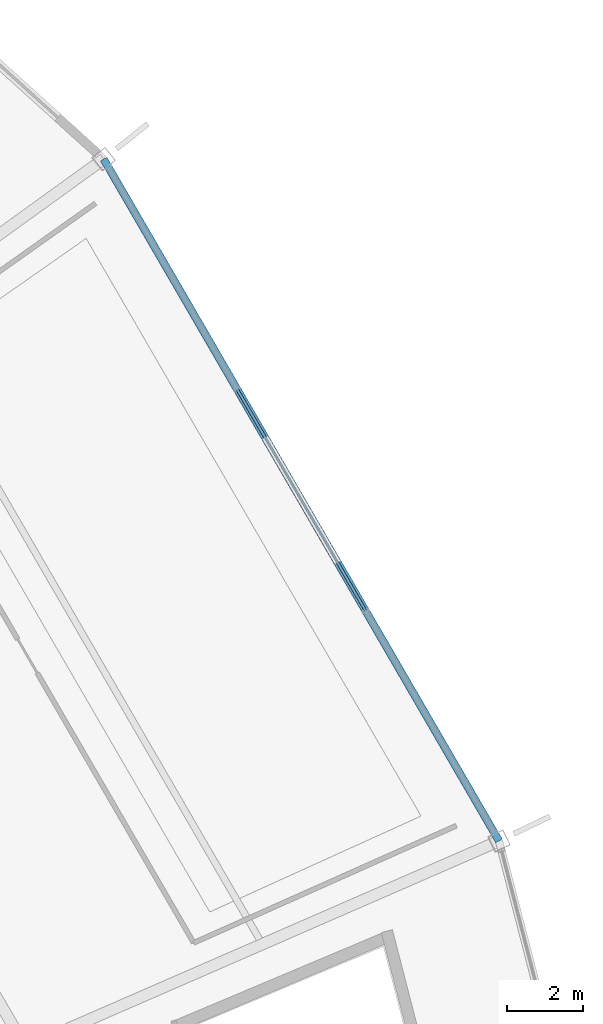
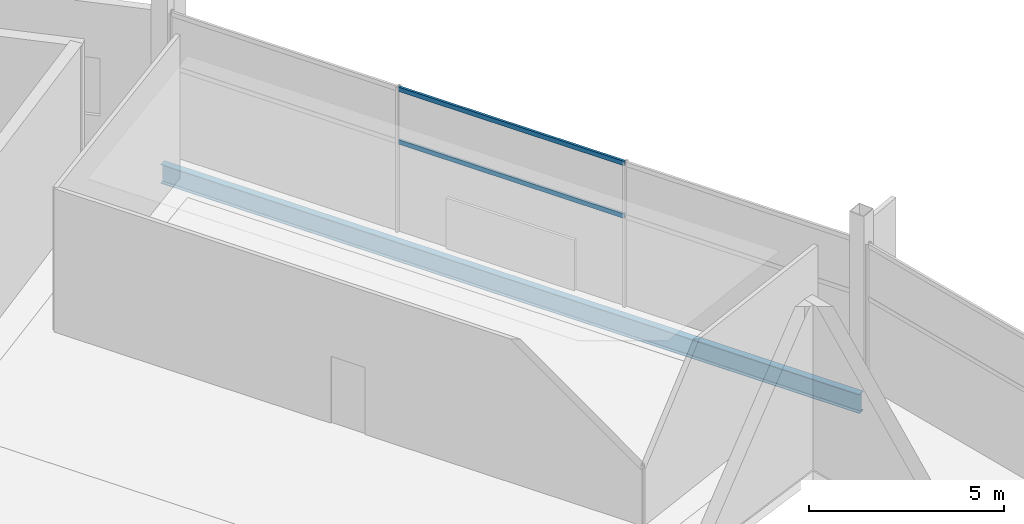
# One storey, part 114 of 186: 2 members, 1 beam, 1 element without a shape of its own.
"""IFC4 building model written with IfcOpenShell, lengths in metres."""

import ifcopenshell
import ifcopenshell.guid

model = None  # the IFC model being written
_history = None  # IfcOwnerHistory: only IFC2X3 demands one
_inside = {}  # id of a spatial element -> (the spatial element, [elements in it])
_under = {}  # id of a project, library or spatial element -> (it, [spatial elements below it])
_declared = {}  # id of a project -> (the project, [libraries it declares])
_typed = {}  # id of a type object -> (the type object, [elements of that type])
_made_of = {}  # id of a material, layer set ... -> (it, [elements and type objects made of it])


def new_model(schema):
    """Start an empty IFC model of exactly this schema.

    Asked for "IFC4X3", IfcOpenShell would pick the latest addendum, in which some entities
    have other attributes; the version numbers below select the first issue.
    IFC2X3 requires an IfcOwnerHistory on every rooted entity: one is made here for all.
    """
    global model, _history
    if schema == "IFC4X3":
        model = ifcopenshell.file(schema_version=(4, 3, 0, 0))
    else:
        model = ifcopenshell.file(schema=schema)
    _inside.clear()
    _under.clear()
    _declared.clear()
    _typed.clear()
    _made_of.clear()
    _history = None
    if model.schema == "IFC2X3":
        org = make("IfcOrganization", Name="unknown")
        user = make(
            "IfcPersonAndOrganization",
            ThePerson=make("IfcPerson", FamilyName="unknown"),
            TheOrganization=org,
        )
        app = make(
            "IfcApplication",
            ApplicationDeveloper=org,
            Version="unknown",
            ApplicationFullName="unknown",
            ApplicationIdentifier="unknown",
        )
        _history = make(
            "IfcOwnerHistory",
            OwningUser=user,
            OwningApplication=app,
            ChangeAction="ADDED",
            CreationDate=0,
        )
    return model


def make(cls, **values):
    """One entity of the class cls with the attributes given. An attribute that is None is left unset."""
    return model.create_entity(
        cls, **{name: value for name, value in values.items() if value is not None}
    )


def rooted(cls, **values):
    """An entity with a GlobalId (a new one), such as an element, a storey or a relation."""
    return make(cls, GlobalId=ifcopenshell.guid.new(), OwnerHistory=_history, **values)


def si_unit(unit_type, name, prefix=None):
    """IfcSIUnit, for example si_unit("LENGTHUNIT", "METRE", prefix="MILLI")."""
    return make("IfcSIUnit", UnitType=unit_type, Prefix=prefix, Name=name)


def assignment(units):
    """IfcUnitAssignment: the units of a project."""
    return None if units is None else make("IfcUnitAssignment", Units=units)


def point(xyz):
    """IfcCartesianPoint."""
    return None if xyz is None else make("IfcCartesianPoint", Coordinates=xyz)


def direction(xyz):
    """IfcDirection."""
    return None if xyz is None else make("IfcDirection", DirectionRatios=xyz)


def frame(location, z_axis=None, x_axis=None):
    """IfcAxis2Placement3D, a coordinate frame: its origin and axes. An axis left out is left unset."""
    return make(
        "IfcAxis2Placement3D",
        Location=point(location),
        Axis=direction(z_axis),
        RefDirection=direction(x_axis),
    )


def frame_2d(location, x_axis=None):
    """IfcAxis2Placement2D, a coordinate frame in the plane: its origin and x axis."""
    return make(
        "IfcAxis2Placement2D", Location=point(location), RefDirection=direction(x_axis)
    )


def origin():
    """The frame at (0, 0, 0) with its axes left unset."""
    return frame((0.0, 0.0, 0.0))


def origin_2d():
    """The frame at (0, 0) in the plane with its x axis left unset."""
    return frame_2d((0.0, 0.0))


def place(relative_to, where):
    """IfcLocalPlacement: puts the frame where relative to a parent placement (None: the world)."""
    return make(
        "IfcLocalPlacement", PlacementRelTo=relative_to, RelativePlacement=where
    )


def context(
    kind, dimensions, precision=None, world=None, true_north=None, identifier=None
):
    """IfcGeometricRepresentationContext, for example the 3D "Model" context."""
    return make(
        "IfcGeometricRepresentationContext",
        ContextIdentifier=identifier,
        ContextType=kind,
        CoordinateSpaceDimension=dimensions,
        Precision=precision,
        WorldCoordinateSystem=world,
        TrueNorth=true_north,
    )


def subcontext(parent, identifier, kind, view, scale=None):
    """IfcGeometricRepresentationSubContext, for example "Body" below "Model"."""
    return make(
        "IfcGeometricRepresentationSubContext",
        ContextIdentifier=identifier,
        ContextType=kind,
        ParentContext=parent,
        TargetScale=scale,
        TargetView=view,
    )


def project(units=None, contexts=None):
    """IfcProject with its units and contexts."""
    return rooted(
        "IfcProject",
        Name="project",
        RepresentationContexts=contexts,
        UnitsInContext=assignment(units),
    )


def spatial(cls, under=None, at=None, **own):
    """A site, building, storey or space (cls), placed at a placement, below another one or the project."""
    s = rooted(cls, ObjectPlacement=at, **own)
    if under is not None:
        _under.setdefault(under.id(), (under, []))[1].append(s)
    return s


def profile(cls, at=None, kind="AREA", **sizes):
    """A parametric profile (cls). Its sizes go by their IFC names, for example OverallWidth=200.0."""
    return make(cls, ProfileType=kind, Position=at, **sizes)


def hollow_rectangle(**sizes):
    """IfcRectangleHollowProfileDef."""
    return profile("IfcRectangleHollowProfileDef", **sizes)


def i_section(**sizes):
    """IfcIShapeProfileDef."""
    return profile("IfcIShapeProfileDef", **sizes)


def extrude(swept, where, along, depth):
    """IfcExtrudedAreaSolid: the profile swept, set in the frame where, extruded along a direction by depth."""
    return make(
        "IfcExtrudedAreaSolid",
        SweptArea=swept,
        Position=where,
        ExtrudedDirection=direction(along),
        Depth=depth,
    )


def shape(context_of_items, identifier, shape_type, items):
    """IfcShapeRepresentation: the items that make up one representation, for example the "Body"."""
    return make(
        "IfcShapeRepresentation",
        ContextOfItems=context_of_items,
        RepresentationIdentifier=identifier,
        RepresentationType=shape_type,
        Items=items,
    )


def material(Name=None, Category=None):
    """IfcMaterial."""
    return make("IfcMaterial", Name=Name, Category=Category)


def layer(
    of_material, thickness, ventilated=None, Name=None, Category=None, Priority=None
):
    """IfcMaterialLayer: one layer of a wall or slab, of a material (None: an air gap)."""
    return make(
        "IfcMaterialLayer",
        Material=of_material,
        LayerThickness=thickness,
        IsVentilated=ventilated,
        Name=Name,
        Category=Category,
        Priority=Priority,
    )


def layer_set(layers, Name=None):
    """IfcMaterialLayerSet."""
    return make("IfcMaterialLayerSet", MaterialLayers=layers, LayerSetName=Name)


def material_profile(
    of_material, cross_section, Name=None, Category=None, Priority=None
):
    """IfcMaterialProfile: a cross section and its material."""
    return make(
        "IfcMaterialProfile",
        Name=Name,
        Material=of_material,
        Profile=cross_section,
        Priority=Priority,
        Category=Category,
    )


def profile_set(profiles, Name=None, composite=None):
    """IfcMaterialProfileSet."""
    return make(
        "IfcMaterialProfileSet",
        Name=Name,
        MaterialProfiles=profiles,
        CompositeProfile=composite,
    )


def made_of(thing, what):
    """Note that an element or type object is made of a material, layer set ...; save() writes the relation."""
    if what is not None:
        _made_of.setdefault(what.id(), (what, []))[1].append(thing)
    return thing


def type_object(cls, material=None, **own):
    """A type object (cls), such as IfcWallType, which elements share."""
    return made_of(rooted(cls, **own), material)


def element(
    cls,
    number,
    at=None,
    inside=None,
    cuts=None,
    type_object=None,
    material=None,
    context=None,
    identifier="Body",
    shape_type=None,
    held_by="IfcProductDefinitionShape",
    body=None,
    shapes=None,
    **own,
):
    """One element of the class cls, such as IfcWall. Its Tag is "e" and its number.

    at: its placement. inside: the storey or other place that contains it. cuts: it is an
    opening in that element (IfcRelVoidsElement). A single representation is given by context,
    identifier, shape_type and body (its items); several are given by shapes. held_by: the class
    of the entity that holds the representations. save() writes the other relations.
    """
    e = rooted(cls, Tag="e%d" % number, ObjectPlacement=at, **own)
    if body is not None:
        shapes = [shape(context, identifier, shape_type, body)]
    if shapes is not None:
        e.Representation = make(held_by, Representations=shapes)
    if inside is not None:
        _inside.setdefault(inside.id(), (inside, []))[1].append(e)
    if cuts is not None:
        rooted(
            "IfcRelVoidsElement", RelatingBuildingElement=cuts, RelatedOpeningElement=e
        )
    if type_object is not None:
        _typed.setdefault(type_object.id(), (type_object, []))[1].append(e)
    return made_of(e, material)


def aggregate(whole, parts):
    """IfcRelAggregates: a whole, such as a stair, and the parts it consists of."""
    return rooted("IfcRelAggregates", RelatingObject=whole, RelatedObjects=parts)


def save(model, path):
    """Write the relations noted so far, then the file.

    IfcRelAggregates (storeys below a building ...), IfcRelContainedInSpatialStructure (elements
    in a storey), IfcRelDefinesByType, IfcRelAssociatesMaterial and IfcRelDeclares: one each for
    every whole, place, type object, material and project.
    """
    for whole, parts in _under.values():
        aggregate(whole, parts)
    for where, things in _inside.values():
        rooted(
            "IfcRelContainedInSpatialStructure",
            RelatedElements=things,
            RelatingStructure=where,
        )
    for kind, things in _typed.values():
        rooted("IfcRelDefinesByType", RelatedObjects=things, RelatingType=kind)
    for what, things in _made_of.values():
        rooted("IfcRelAssociatesMaterial", RelatedObjects=things, RelatingMaterial=what)
    for by, libraries in _declared.values():
        rooted("IfcRelDeclares", RelatingContext=by, RelatedDefinitions=libraries)
    model.write(path)


model = new_model("IFC4")

# Units and contexts
model_context = context("Model", 3, precision=1e-05, world=origin(), true_north=direction((0.0, 1.0)))
body_context = subcontext(model_context, "Body", "Model", "MODEL_VIEW")
ifc_project = project(units=[si_unit("LENGTHUNIT", "METRE"), si_unit("AREAUNIT", "SQUARE_METRE"), si_unit("VOLUMEUNIT", "CUBIC_METRE"), si_unit("PLANEANGLEUNIT", "RADIAN"), si_unit("MASSUNIT", "GRAM", prefix="KILO")], contexts=[model_context])

# Site, building, storey
site_placement = place(None, origin())
site = spatial("IfcSite", under=ifc_project, at=site_placement, CompositionType="ELEMENT")
building_placement = place(site_placement, origin())
building = spatial("IfcBuilding", under=site, at=building_placement, Name="Kazemori Nagisa Stadium", CompositionType="ELEMENT")
storey_placement = place(building_placement, frame((0.0, 0.0, 20.39990234375)))
storey = spatial("IfcBuildingStorey", under=building, at=storey_placement, Name="L04", CompositionType="ELEMENT", Elevation=20.39990234375)

# Beam
ifc_material_1 = material(Name="Steel SN490B", Category="steel")
ifc_material_profile_1 = material_profile(ifc_material_1, i_section(OverallWidth=0.199951171875, OverallDepth=0.60009765625, WebThickness=0.010986328125, FlangeThickness=0.01708984375, FilletRadius=0.012939453125, at=origin_2d()), Name="H-600x200x11x17")
ifc_profile_set_1 = profile_set([ifc_material_profile_1], Name="Steel SN490B")
beam_type = type_object("IfcBeamType", Name="Beam_BS-H600", PredefinedType="SPANDREL", material=ifc_profile_set_1)
beam_placement = place(storey_placement, frame((211.885009765625, 140.74951171875, -0.599853515625), z_axis=(-0.50161277459, 0.8650922635, 0.0), x_axis=(-0.8650922635, -0.50161277459, 0.0)))
element("IfcBeam", 1, at=beam_placement, inside=storey, type_object=beam_type, Name="Ring girder BS-H600 L04 R3-03", PredefinedType="SPANDREL", context=body_context, shape_type="SweptSolid", body=[
    extrude(i_section(OverallWidth=0.199951171875, OverallDepth=0.60009765625, WebThickness=0.010986328125, FlangeThickness=0.01708984375, FilletRadius=0.012939453125, at=origin_2d()), origin(), (0.0, 0.0, 1.0), 20.71240234375),
])

# Curtain wall, members
ifc_material_2 = material(Name="Anodised aluminium 6063-T5", Category="aluminium")
ifc_layer = layer(ifc_material_2, 0.179931640625, Name="Anodised aluminium 6063-T5", Category="aluminium")
ifc_layer_set = layer_set([ifc_layer], Name="Anodised aluminium 6063-T5")
curtain_wall_type = type_object("IfcCurtainWallType", Name="CW_L04R3_101", PredefinedType="USERDEFINED", material=ifc_layer_set)
curtain_wall_placement = place(storey_placement, origin())
curtain_wall = element("IfcCurtainWall", 2, at=curtain_wall_placement, inside=storey, type_object=curtain_wall_type, Name="Unitised curtain wall CW-L04R3-101 L04", ObjectType="UNITISED CURTAIN WALL", PredefinedType="USERDEFINED")
ifc_material_3 = material(Name="Aluminium 6063-T5 anodised", Category="aluminium")
ifc_material_profile_2 = material_profile(ifc_material_3, hollow_rectangle(XDim=0.070068359375, YDim=0.139892578125, WallThickness=0.00390625, at=origin_2d()), Name="ALU-TRAN-70x140x4")
ifc_profile_set_2 = profile_set([ifc_material_profile_2], Name="Aluminium 6063-T5 anodised")
member_type = type_object("IfcMemberType", Name="Transom_T01", PredefinedType="USERDEFINED", material=ifc_profile_set_2)
member_1_placement = place(storey_placement, frame((208.369140625, 146.81298828125, 2.80859375), z_axis=(-0.50161984125, 0.865088165948, 0.0), x_axis=(-0.865088165948, -0.50161984125, 0.0)))
member_1 = element("IfcMember", 3, at=member_1_placement, type_object=member_type, Name="Curtain wall transom CW-L04R3-101-T2-mid", ObjectType="TRANSOM", PredefinedType="USERDEFINED", context=body_context, shape_type="SweptSolid", body=[
    extrude(hollow_rectangle(XDim=0.070068359375, YDim=0.139892578125, WallThickness=0.00390625, at=origin_2d()), origin(), (0.0, 0.0, 1.0), 6.694091796875),
])
member_2_placement = place(storey_placement, frame((208.369140625, 146.81298828125, 4.460205078125), z_axis=(-0.50161984125, 0.865088165948, 0.0), x_axis=(-0.865088165948, -0.50161984125, 0.0)))
member_2 = element("IfcMember", 4, at=member_2_placement, type_object=member_type, Name="Curtain wall transom CW-L04R3-101-T2-head", ObjectType="TRANSOM", PredefinedType="USERDEFINED", context=body_context, shape_type="SweptSolid", body=[
    extrude(hollow_rectangle(XDim=0.070068359375, YDim=0.139892578125, WallThickness=0.00390625, at=origin_2d()), origin(), (0.0, 0.0, 1.0), 6.694091796875),
])
aggregate(curtain_wall, [member_1, member_2])

save(model, "model.ifc")
